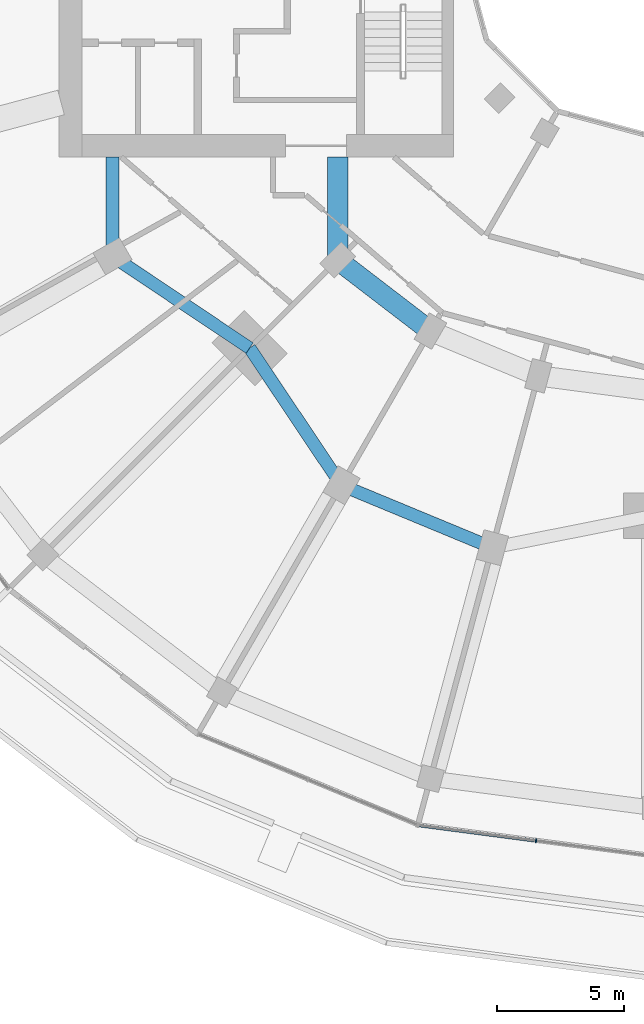
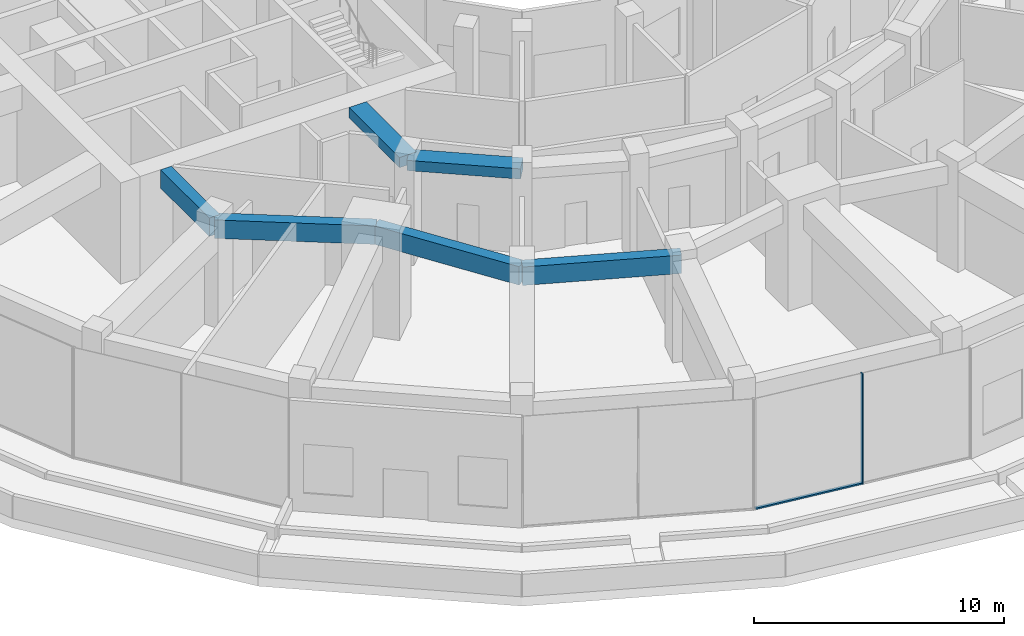
# One storey, part 4 of 26: 6 beams, 2 members, 1 element without a shape of its own.
"""IFC4 building model written with IfcOpenShell, lengths in metres."""

import ifcopenshell
import ifcopenshell.guid

model = None  # the IFC model being written
_history = None  # IfcOwnerHistory: only IFC2X3 demands one
_inside = {}  # id of a spatial element -> (the spatial element, [elements in it])
_under = {}  # id of a project, library or spatial element -> (it, [spatial elements below it])
_declared = {}  # id of a project -> (the project, [libraries it declares])
_typed = {}  # id of a type object -> (the type object, [elements of that type])
_made_of = {}  # id of a material, layer set ... -> (it, [elements and type objects made of it])


def new_model(schema):
    """Start an empty IFC model of exactly this schema.

    Asked for "IFC4X3", IfcOpenShell would pick the latest addendum, in which some entities
    have other attributes; the version numbers below select the first issue.
    IFC2X3 requires an IfcOwnerHistory on every rooted entity: one is made here for all.
    """
    global model, _history
    if schema == "IFC4X3":
        model = ifcopenshell.file(schema_version=(4, 3, 0, 0))
    else:
        model = ifcopenshell.file(schema=schema)
    _inside.clear()
    _under.clear()
    _declared.clear()
    _typed.clear()
    _made_of.clear()
    _history = None
    if model.schema == "IFC2X3":
        org = make("IfcOrganization", Name="unknown")
        user = make(
            "IfcPersonAndOrganization",
            ThePerson=make("IfcPerson", FamilyName="unknown"),
            TheOrganization=org,
        )
        app = make(
            "IfcApplication",
            ApplicationDeveloper=org,
            Version="unknown",
            ApplicationFullName="unknown",
            ApplicationIdentifier="unknown",
        )
        _history = make(
            "IfcOwnerHistory",
            OwningUser=user,
            OwningApplication=app,
            ChangeAction="ADDED",
            CreationDate=0,
        )
    return model


def make(cls, **values):
    """One entity of the class cls with the attributes given. An attribute that is None is left unset."""
    return model.create_entity(
        cls, **{name: value for name, value in values.items() if value is not None}
    )


def rooted(cls, **values):
    """An entity with a GlobalId (a new one), such as an element, a storey or a relation."""
    return make(cls, GlobalId=ifcopenshell.guid.new(), OwnerHistory=_history, **values)


def si_unit(unit_type, name, prefix=None):
    """IfcSIUnit, for example si_unit("LENGTHUNIT", "METRE", prefix="MILLI")."""
    return make("IfcSIUnit", UnitType=unit_type, Prefix=prefix, Name=name)


def assignment(units):
    """IfcUnitAssignment: the units of a project."""
    return None if units is None else make("IfcUnitAssignment", Units=units)


def point(xyz):
    """IfcCartesianPoint."""
    return None if xyz is None else make("IfcCartesianPoint", Coordinates=xyz)


def direction(xyz):
    """IfcDirection."""
    return None if xyz is None else make("IfcDirection", DirectionRatios=xyz)


def frame(location, z_axis=None, x_axis=None):
    """IfcAxis2Placement3D, a coordinate frame: its origin and axes. An axis left out is left unset."""
    return make(
        "IfcAxis2Placement3D",
        Location=point(location),
        Axis=direction(z_axis),
        RefDirection=direction(x_axis),
    )


def frame_2d(location, x_axis=None):
    """IfcAxis2Placement2D, a coordinate frame in the plane: its origin and x axis."""
    return make(
        "IfcAxis2Placement2D", Location=point(location), RefDirection=direction(x_axis)
    )


def origin():
    """The frame at (0, 0, 0) with its axes left unset."""
    return frame((0.0, 0.0, 0.0))


def origin_2d():
    """The frame at (0, 0) in the plane with its x axis left unset."""
    return frame_2d((0.0, 0.0))


def place(relative_to, where):
    """IfcLocalPlacement: puts the frame where relative to a parent placement (None: the world)."""
    return make(
        "IfcLocalPlacement", PlacementRelTo=relative_to, RelativePlacement=where
    )


def context(
    kind, dimensions, precision=None, world=None, true_north=None, identifier=None
):
    """IfcGeometricRepresentationContext, for example the 3D "Model" context."""
    return make(
        "IfcGeometricRepresentationContext",
        ContextIdentifier=identifier,
        ContextType=kind,
        CoordinateSpaceDimension=dimensions,
        Precision=precision,
        WorldCoordinateSystem=world,
        TrueNorth=true_north,
    )


def subcontext(parent, identifier, kind, view, scale=None):
    """IfcGeometricRepresentationSubContext, for example "Body" below "Model"."""
    return make(
        "IfcGeometricRepresentationSubContext",
        ContextIdentifier=identifier,
        ContextType=kind,
        ParentContext=parent,
        TargetScale=scale,
        TargetView=view,
    )


def project(units=None, contexts=None):
    """IfcProject with its units and contexts."""
    return rooted(
        "IfcProject",
        Name="project",
        RepresentationContexts=contexts,
        UnitsInContext=assignment(units),
    )


def spatial(cls, under=None, at=None, **own):
    """A site, building, storey or space (cls), placed at a placement, below another one or the project."""
    s = rooted(cls, ObjectPlacement=at, **own)
    if under is not None:
        _under.setdefault(under.id(), (under, []))[1].append(s)
    return s


def profile(cls, at=None, kind="AREA", **sizes):
    """A parametric profile (cls). Its sizes go by their IFC names, for example OverallWidth=200.0."""
    return make(cls, ProfileType=kind, Position=at, **sizes)


def rectangle(**sizes):
    """IfcRectangleProfileDef."""
    return profile("IfcRectangleProfileDef", **sizes)


def extrude(swept, where, along, depth):
    """IfcExtrudedAreaSolid: the profile swept, set in the frame where, extruded along a direction by depth."""
    return make(
        "IfcExtrudedAreaSolid",
        SweptArea=swept,
        Position=where,
        ExtrudedDirection=direction(along),
        Depth=depth,
    )


def shape(context_of_items, identifier, shape_type, items):
    """IfcShapeRepresentation: the items that make up one representation, for example the "Body"."""
    return make(
        "IfcShapeRepresentation",
        ContextOfItems=context_of_items,
        RepresentationIdentifier=identifier,
        RepresentationType=shape_type,
        Items=items,
    )


def material(Name=None, Category=None):
    """IfcMaterial."""
    return make("IfcMaterial", Name=Name, Category=Category)


def layer(
    of_material, thickness, ventilated=None, Name=None, Category=None, Priority=None
):
    """IfcMaterialLayer: one layer of a wall or slab, of a material (None: an air gap)."""
    return make(
        "IfcMaterialLayer",
        Material=of_material,
        LayerThickness=thickness,
        IsVentilated=ventilated,
        Name=Name,
        Category=Category,
        Priority=Priority,
    )


def layer_set(layers, Name=None):
    """IfcMaterialLayerSet."""
    return make("IfcMaterialLayerSet", MaterialLayers=layers, LayerSetName=Name)


def material_profile(
    of_material, cross_section, Name=None, Category=None, Priority=None
):
    """IfcMaterialProfile: a cross section and its material."""
    return make(
        "IfcMaterialProfile",
        Name=Name,
        Material=of_material,
        Profile=cross_section,
        Priority=Priority,
        Category=Category,
    )


def profile_set(profiles, Name=None, composite=None):
    """IfcMaterialProfileSet."""
    return make(
        "IfcMaterialProfileSet",
        Name=Name,
        MaterialProfiles=profiles,
        CompositeProfile=composite,
    )


def made_of(thing, what):
    """Note that an element or type object is made of a material, layer set ...; save() writes the relation."""
    if what is not None:
        _made_of.setdefault(what.id(), (what, []))[1].append(thing)
    return thing


def type_object(cls, material=None, **own):
    """A type object (cls), such as IfcWallType, which elements share."""
    return made_of(rooted(cls, **own), material)


def element(
    cls,
    number,
    at=None,
    inside=None,
    cuts=None,
    type_object=None,
    material=None,
    context=None,
    identifier="Body",
    shape_type=None,
    held_by="IfcProductDefinitionShape",
    body=None,
    shapes=None,
    **own,
):
    """One element of the class cls, such as IfcWall. Its Tag is "e" and its number.

    at: its placement. inside: the storey or other place that contains it. cuts: it is an
    opening in that element (IfcRelVoidsElement). A single representation is given by context,
    identifier, shape_type and body (its items); several are given by shapes. held_by: the class
    of the entity that holds the representations. save() writes the other relations.
    """
    e = rooted(cls, Tag="e%d" % number, ObjectPlacement=at, **own)
    if body is not None:
        shapes = [shape(context, identifier, shape_type, body)]
    if shapes is not None:
        e.Representation = make(held_by, Representations=shapes)
    if inside is not None:
        _inside.setdefault(inside.id(), (inside, []))[1].append(e)
    if cuts is not None:
        rooted(
            "IfcRelVoidsElement", RelatingBuildingElement=cuts, RelatedOpeningElement=e
        )
    if type_object is not None:
        _typed.setdefault(type_object.id(), (type_object, []))[1].append(e)
    return made_of(e, material)


def aggregate(whole, parts):
    """IfcRelAggregates: a whole, such as a stair, and the parts it consists of."""
    return rooted("IfcRelAggregates", RelatingObject=whole, RelatedObjects=parts)


def save(model, path):
    """Write the relations noted so far, then the file.

    IfcRelAggregates (storeys below a building ...), IfcRelContainedInSpatialStructure (elements
    in a storey), IfcRelDefinesByType, IfcRelAssociatesMaterial and IfcRelDeclares: one each for
    every whole, place, type object, material and project.
    """
    for whole, parts in _under.values():
        aggregate(whole, parts)
    for where, things in _inside.values():
        rooted(
            "IfcRelContainedInSpatialStructure",
            RelatedElements=things,
            RelatingStructure=where,
        )
    for kind, things in _typed.values():
        rooted("IfcRelDefinesByType", RelatedObjects=things, RelatingType=kind)
    for what, things in _made_of.values():
        rooted("IfcRelAssociatesMaterial", RelatedObjects=things, RelatingMaterial=what)
    for by, libraries in _declared.values():
        rooted("IfcRelDeclares", RelatingContext=by, RelatedDefinitions=libraries)
    model.write(path)


model = new_model("IFC4")

# Units and contexts
model_context = context("Model", 3, precision=1e-05, world=origin(), true_north=direction((0.0, 1.0)))
body_context = subcontext(model_context, "Body", "Model", "MODEL_VIEW")
ifc_project = project(units=[si_unit("LENGTHUNIT", "METRE"), si_unit("AREAUNIT", "SQUARE_METRE"), si_unit("VOLUMEUNIT", "CUBIC_METRE"), si_unit("PLANEANGLEUNIT", "RADIAN"), si_unit("MASSUNIT", "GRAM", prefix="KILO")], contexts=[model_context])

# Site, building, storey
site_placement = place(None, origin())
site = spatial("IfcSite", under=ifc_project, at=site_placement, CompositionType="ELEMENT")
building_placement = place(site_placement, origin())
building = spatial("IfcBuilding", under=site, at=building_placement, Name="Torre Brocal", CompositionType="ELEMENT")
storey_placement = place(building_placement, frame((0.0, 0.0, 12.39990234375)))
storey = spatial("IfcBuildingStorey", under=building, at=storey_placement, Name="L02", CompositionType="ELEMENT", Elevation=12.39990234375)

# Curtain wall, members
ifc_material_1 = material(Name="Aluminium and glass", Category="aluminium")
ifc_layer = layer(ifc_material_1, 0.199951171875)
ifc_layer_set = layer_set([ifc_layer], Name="Aluminium and glass")
curtain_wall_type = type_object("IfcCurtainWallType", Name="CW-6 CURTAIN WALL 5400 HIGH", PredefinedType="NOTDEFINED", material=ifc_layer_set)
curtain_wall_placement = place(storey_placement, origin())
curtain_wall = element("IfcCurtainWall", 1, at=curtain_wall_placement, inside=storey, type_object=curtain_wall_type, Name="CW-6 RUN 18", PredefinedType="NOTDEFINED")
ifc_material_2 = material(Name="Aluminium, dark anodised", Category="aluminium")
ifc_material_profile_1 = material_profile(ifc_material_2, rectangle(XDim=0.159912109375, YDim=0.050048828125, at=origin_2d()), Name="CW-6 MULLION 50X160")
ifc_profile_set_1 = profile_set([ifc_material_profile_1], Name="Aluminium, dark anodised")
member_type_1 = type_object("IfcMemberType", Name="CW-6 MULLION 50X160", PredefinedType="MULLION", material=ifc_profile_set_1)
member_1_placement = place(storey_placement, frame((75.354248046875, 39.71240234375, 0.0), z_axis=(0.0, 0.0, 1.0), x_axis=(0.130526192255, 0.991444861369, 0.0)))
member_1 = element("IfcMember", 2, at=member_1_placement, type_object=member_type_1, Name="CW6-1 mullion 2", PredefinedType="MULLION", context=body_context, shape_type="SweptSolid", body=[
    extrude(rectangle(XDim=0.159912109375, YDim=0.050048828125, at=origin_2d()), origin(), (0.0, 0.0, 1.0), 5.400146484375),
])
ifc_material_3 = material(Name="Aluminium, dark anodised", Category="aluminium")
ifc_material_profile_2 = material_profile(ifc_material_3, rectangle(XDim=0.1298828125, YDim=0.070068359375, at=origin_2d()), Name="CW-6 TRANSOM 130X70")
ifc_profile_set_2 = profile_set([ifc_material_profile_2], Name="Aluminium, dark anodised")
member_type_2 = type_object("IfcMemberType", Name="CW-6 TRANSOM 130X70", PredefinedType="USERDEFINED", material=ifc_profile_set_2)
member_2_placement = place(storey_placement, frame((70.75830078125, 40.317626953125, 0.03515625), z_axis=(0.991445281859, -0.130522998279, 0.0), x_axis=(0.130522998279, 0.991445281859, 0.0)))
member_2 = element("IfcMember", 3, at=member_2_placement, type_object=member_type_2, Name="CW6-1 transom 1.1", ObjectType="TRANSOM", PredefinedType="USERDEFINED", context=body_context, shape_type="SweptSolid", body=[
    extrude(rectangle(XDim=0.1298828125, YDim=0.070068359375, at=origin_2d()), origin(), (0.0, 0.0, 1.0), 4.61083984375),
])
aggregate(curtain_wall, [member_1, member_2])

# Beams
ifc_material_4 = material(Name="Concrete C50", Category="concrete")
ifc_material_profile_3 = material_profile(ifc_material_4, rectangle(XDim=0.800048828125, YDim=0.5, at=origin_2d()), Name="RC 800X500")
ifc_profile_set_3 = profile_set([ifc_material_profile_3], Name="Concrete C50")
beam_type_1 = type_object("IfcBeamType", Name="RC BEAM 800X500 C50 TOP 4950", PredefinedType="BEAM", material=ifc_profile_set_3)
beam_1_placement = place(storey_placement, frame((67.554931640625, 62.554931640625, 4.7001953125), z_axis=(0.0, 1.0, 0.0), x_axis=(-1.0, 0.0, 0.0)))
element("IfcBeam", 4, at=beam_1_placement, inside=storey, type_object=beam_type_1, Name="Beam BT-11", PredefinedType="BEAM", context=body_context, shape_type="SweptSolid", body=[
    extrude(rectangle(XDim=0.800048828125, YDim=0.5, at=origin_2d()), origin(), (0.0, 0.0, 1.0), 4.045166015625),
])
beam_2_placement = place(storey_placement, frame((67.554931640625, 62.554931640625, 4.7001953125), z_axis=(0.793358265959, -0.6087550097, 0.0), x_axis=(0.6087550097, 0.793358265959, 0.0)))
element("IfcBeam", 5, at=beam_2_placement, inside=storey, type_object=beam_type_1, Name="Beam BT-11", PredefinedType="BEAM", context=body_context, shape_type="SweptSolid", body=[
    extrude(rectangle(XDim=0.800048828125, YDim=0.5, at=origin_2d()), origin(), (0.0, 0.0, 1.0), 4.594482421875),
])
ifc_material_5 = material(Name="Concrete C50", Category="concrete")
ifc_material_profile_4 = material_profile(ifc_material_5, rectangle(XDim=0.5, YDim=0.89990234375, at=origin_2d()), Name="RC 500X900")
ifc_profile_set_4 = profile_set([ifc_material_profile_4], Name="Concrete C50")
beam_type_2 = type_object("IfcBeamType", Name="RC SPANDREL BEAM 500X900 C50 TOP 4950", PredefinedType="SPANDREL", material=ifc_profile_set_4)
beam_3_placement = place(storey_placement, frame((58.69580078125, 62.699951171875, 4.5), z_axis=(0.0, 1.0, 0.0), x_axis=(-1.0, 0.0, 0.0)))
element("IfcBeam", 6, at=beam_3_placement, inside=storey, type_object=beam_type_2, Name="Beam BT-12", PredefinedType="SPANDREL", context=body_context, shape_type="SweptSolid", body=[
    extrude(rectangle(XDim=0.5, YDim=0.89990234375, at=origin_2d()), origin(), (0.0, 0.0, 1.0), 3.900146484375),
])
for number, where, z_axis, x_axis, name in (
    (7, (58.69580078125, 62.699951171875, 4.5), (0.831076844476, -0.556157602282, 0.0), (0.556157602282, 0.831076844476, 0.0), "Beam BT-12"),
    (8, (64.090087890625, 59.090087890625, 4.5), (0.556157602282, -0.831076844476, 0.0), (0.831076844476, 0.556157602282, 0.0), "Beam BT-12"),
):
    element("IfcBeam", number, at=place(storey_placement, frame(where, z_axis=z_axis, x_axis=x_axis)), inside=storey, type_object=beam_type_2, Name=name, PredefinedType="SPANDREL", context=body_context, shape_type="SweptSolid", body=[
        extrude(rectangle(XDim=0.5, YDim=0.89990234375, at=origin_2d()), origin(), (0.0, 0.0, 1.0), 6.49072265625),
    ])
beam_4_placement = place(storey_placement, frame((67.699951171875, 53.69580078125, 4.5), z_axis=(0.923882462513, -0.382676358639, 0.0), x_axis=(0.382676358639, 0.923882462513, 0.0)))
element("IfcBeam", 9, at=beam_4_placement, inside=storey, type_object=beam_type_2, Name="Beam BT-12", PredefinedType="SPANDREL", context=body_context, shape_type="SweptSolid", body=[
    extrude(rectangle(XDim=0.5, YDim=0.89990234375, at=origin_2d()), origin(), (0.0, 0.0, 1.0), 6.421875),
])

save(model, "model.ifc")
